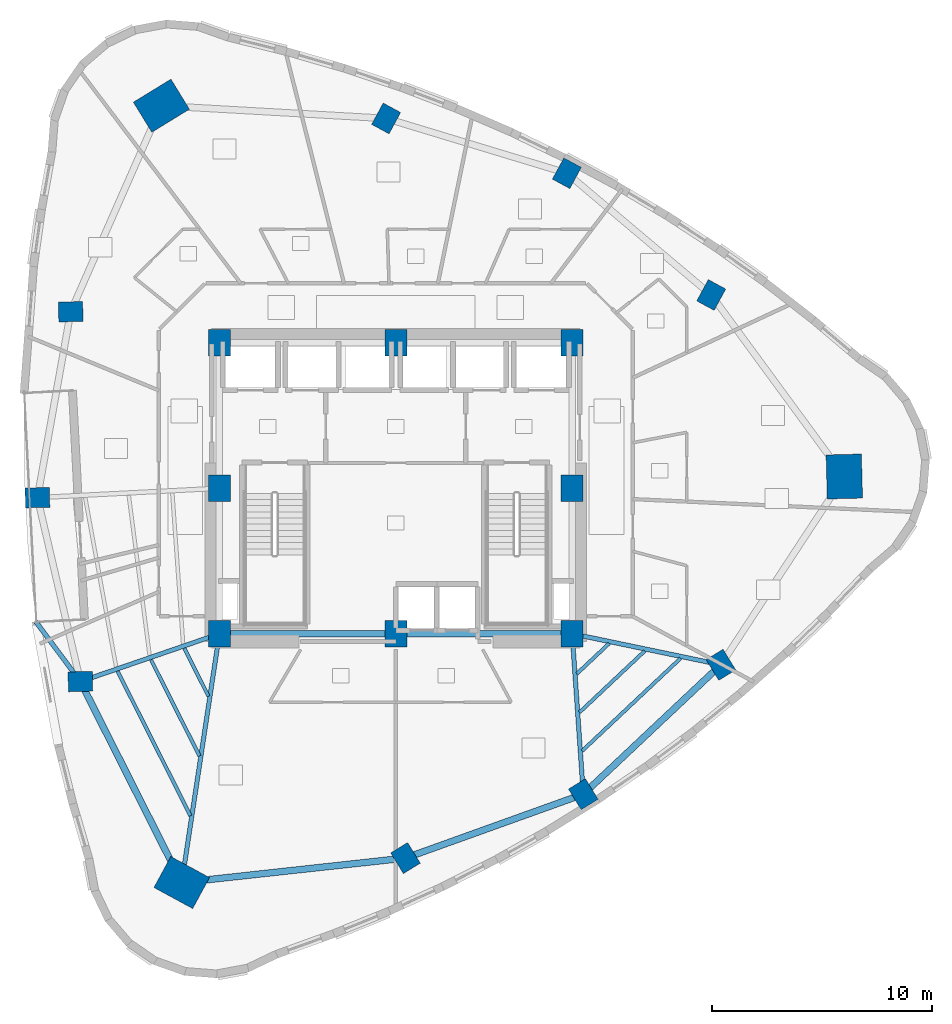
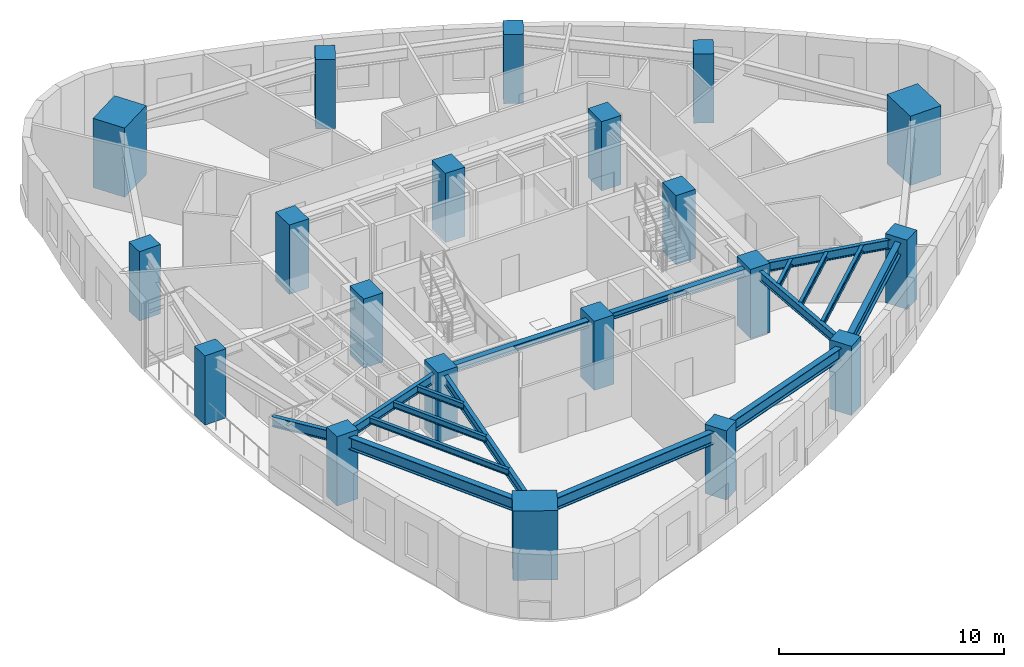
# One storey, part 1 of 12: 20 columns, 17 beams.
"""IFC4 building model written with IfcOpenShell, lengths in metres."""

from ifc_helpers import new_model, si_unit, direction, frame, origin, origin_2d, place, context, subcontext, project, spatial, rectangle, i_section, extrude, material, material_profile, profile_set, type_object, element, save


model = new_model("IFC4")

# Units and contexts
model_context = context("Model", 3, precision=1e-05, world=origin(), true_north=direction((0.0, 1.0)))
body_context = subcontext(model_context, "Body", "Model", "MODEL_VIEW")
ifc_project = project(units=[si_unit("LENGTHUNIT", "METRE"), si_unit("AREAUNIT", "SQUARE_METRE"), si_unit("VOLUMEUNIT", "CUBIC_METRE"), si_unit("PLANEANGLEUNIT", "RADIAN"), si_unit("MASSUNIT", "GRAM", prefix="KILO")], contexts=[model_context])

# Site, building, storey
site_placement = place(None, origin())
site = spatial("IfcSite", under=ifc_project, at=site_placement, CompositionType="ELEMENT")
building_placement = place(site_placement, origin())
building = spatial("IfcBuilding", under=site, at=building_placement, Name="Ndelora Gate Hotel", CompositionType="ELEMENT")
storey_placement = place(building_placement, frame((0.0, 0.0, 131.0)))
storey = spatial("IfcBuildingStorey", under=building, at=storey_placement, Name="L32", CompositionType="ELEMENT", Elevation=131.0)

# Columns
ifc_material_1 = material(Name="Concrete C60/75", Category="concrete")
ifc_material_profile_1 = material_profile(ifc_material_1, rectangle(XDim=1.0, YDim=1.199951171875, at=origin_2d()), Name="RC 1200x1000")
ifc_profile_set_1 = profile_set([ifc_material_profile_1], Name="Concrete C60/75")
column_type_1 = type_object("IfcColumnType", Name="COL-CC-MID", PredefinedType="COLUMN", material=ifc_profile_set_1)
for number, where, z_axis, x_axis, name in (
    (1, (-8.0, -6.60009765625, 0.0), (0.0, 0.0, 1.0), (1.0, 0.0, 0.0), "L32 Core Column CC1"),
    (2, (0.0, -6.60009765625, 0.0), (0.0, 0.0, 1.0), (1.0, 0.0, 0.0), "L32 Core Column CC2"),
    (3, (8.0, -6.60009765625, 0.0), (0.0, 0.0, 1.0), (1.0, 0.0, 0.0), "L32 Core Column CC3"),
    (4, (8.0, 0.0, 0.0), (0.0, 0.0, 1.0), (1.0, 0.0, 0.0), "L32 Core Column CC4"),
    (5, (8.0, 6.60009765625, 0.0), (0.0, 0.0, 1.0), (1.0, 0.0, 0.0), "L32 Core Column CC5"),
    (6, (0.0, 6.60009765625, 0.0), (0.0, 0.0, 1.0), (1.0, 0.0, 0.0), "L32 Core Column CC6"),
    (7, (-8.0, 6.60009765625, 0.0), (0.0, 0.0, 1.0), (1.0, 0.0, 0.0), "L32 Core Column CC7"),
    (8, (-8.0, 0.0, 0.0), (0.0, 0.0, 1.0), (1.0, 0.0, 0.0), "L32 Core Column CC8"),
):
    element("IfcColumn", number, at=place(storey_placement, frame(where, z_axis=z_axis, x_axis=x_axis)), inside=storey, type_object=column_type_1, Name=name, PredefinedType="COLUMN", context=body_context, shape_type="SweptSolid", body=[
        extrude(rectangle(XDim=1.0, YDim=1.199951171875, at=origin_2d()), origin(), (0.0, 0.0, 1.0), 3.75),
    ])
ifc_material_profile_2 = material_profile(ifc_material_1, rectangle(XDim=1.60009765625, YDim=2.0, at=origin_2d()), Name="RC 2000x1600")
ifc_profile_set_2 = profile_set([ifc_material_profile_2], Name="Concrete C60/75")
column_type_2 = type_object("IfcColumnType", Name="COL-MC-Z2", PredefinedType="COLUMN", material=ifc_profile_set_2)
for number, where, z_axis, x_axis, name in (
    (9, (-10.63330078125, 17.351806640625, 0.0), (0.0, 0.0, 1.0), (-0.522498564716, 0.852640164354, 0.0), "L32 Corner Mega-Column R1"),
    (10, (-9.71044921875, -17.884521484375, 0.0), (0.0, 0.0, 1.0), (0.47715876026, 0.878817112662, 0.0), "L32 Corner Mega-Column R5"),
    (11, (20.34375, 0.53271484375, 0.0), (0.0, 0.0, 1.0), (0.999657324976, 0.026176948308, 0.0), "L32 Corner Mega-Column R9"),
):
    element("IfcColumn", number, at=place(storey_placement, frame(where, z_axis=z_axis, x_axis=x_axis)), inside=storey, type_object=column_type_2, Name=name, PredefinedType="COLUMN", context=body_context, shape_type="SweptSolid", body=[
        extrude(rectangle(XDim=1.60009765625, YDim=2.0, at=origin_2d()), origin(), (0.0, 0.0, 1.0), 3.75),
    ])
ifc_material_profile_3 = material_profile(ifc_material_1, rectangle(XDim=0.89990234375, YDim=1.10009765625, at=origin_2d()), Name="RC 1100x900")
ifc_profile_set_3 = profile_set([ifc_material_profile_3], Name="Concrete C60/75")
column_type_3 = type_object("IfcColumnType", Name="COL-PT-Z2", PredefinedType="COLUMN", material=ifc_profile_set_3)
for number, where, z_axis, x_axis, name in (
    (12, (-14.74658203125, 8.006591796875, 0.0), (0.0, 0.0, 1.0), (-0.026176948308, 0.999657324976, 0.0), "L32 Perimeter Tube Column R2"),
    (13, (-16.25537109375, -0.42578125, 0.0), (0.0, 0.0, 1.0), (-0.026176948308, 0.999657324976, 0.0), "L32 Perimeter Tube Column R3"),
    (14, (-14.307373046875, -8.767578125, 0.0), (0.0, 0.0, 1.0), (-0.026176948308, 0.999657324976, 0.0), "L32 Perimeter Tube Column R4"),
    (15, (0.439208984375, -16.7744140625, 0.0), (0.0, 0.0, 1.0), (0.852640164354, 0.522498564716, 0.0), "L32 Perimeter Tube Column R6"),
    (16, (8.50439453125, -13.878173828125, 0.0), (0.0, 0.0, 1.0), (0.852640164354, 0.522498564716, 0.0), "L32 Perimeter Tube Column R7"),
    (17, (14.74658203125, -8.006591796875, 0.0), (0.0, 0.0, 1.0), (0.852640164354, 0.522498564716, 0.0), "L32 Perimeter Tube Column R8"),
    (18, (14.30712890625, 8.767333984375, 0.0), (0.0, 0.0, 1.0), (-0.878817112662, 0.47715876026, 0.0), "L32 Perimeter Tube Column R10"),
    (19, (7.759033203125, 14.290283203125, 0.0), (0.0, 0.0, 1.0), (-0.878817112662, 0.47715876026, 0.0), "L32 Perimeter Tube Column R11"),
    (20, (-0.439208984375, 16.7744140625, 0.0), (0.0, 0.0, 1.0), (-0.878817112662, 0.47715876026, 0.0), "L32 Perimeter Tube Column R12"),
):
    element("IfcColumn", number, at=place(storey_placement, frame(where, z_axis=z_axis, x_axis=x_axis)), inside=storey, type_object=column_type_3, Name=name, PredefinedType="COLUMN", context=body_context, shape_type="SweptSolid", body=[
        extrude(rectangle(XDim=0.89990234375, YDim=1.10009765625, at=origin_2d()), origin(), (0.0, 0.0, 1.0), 3.75),
    ])

# Beams
ifc_material_2 = material(Name="Steel S355", Category="steel")
ifc_material_profile_4 = material_profile(ifc_material_2, i_section(OverallWidth=0.300048828125, OverallDepth=0.360107421875, WebThickness=0.012451171875, FlangeThickness=0.0224609375, FilletRadius=0.027099609375, at=origin_2d()), Name="HEB 360")
ifc_profile_set_4 = profile_set([ifc_material_profile_4], Name="Steel S355")
beam_type_1 = type_object("IfcBeamType", Name="BM-CORE-360", PredefinedType="BEAM", material=ifc_profile_set_4)
for number, where, z_axis, x_axis, name in (
    (21, (-8.0, -6.60009765625, 3.320068359375), (1.0, 0.0, 0.0), (0.0, 1.0, 0.0), "L32 Core Tie Girder CC1-CC2"),
    (22, (0.0, -6.60009765625, 3.320068359375), (1.0, 0.0, 0.0), (0.0, 1.0, 0.0), "L32 Core Tie Girder CC2-CC3"),
):
    element("IfcBeam", number, at=place(storey_placement, frame(where, z_axis=z_axis, x_axis=x_axis)), inside=storey, type_object=beam_type_1, Name=name, PredefinedType="BEAM", context=body_context, shape_type="SweptSolid", body=[
        extrude(i_section(OverallWidth=0.300048828125, OverallDepth=0.360107421875, WebThickness=0.012451171875, FlangeThickness=0.0224609375, FilletRadius=0.027099609375, at=origin_2d()), origin(), (0.0, 0.0, 1.0), 8.0),
    ])
ifc_material_profile_5 = material_profile(ifc_material_2, i_section(OverallWidth=0.159912109375, OverallDepth=0.330078125, WebThickness=0.007568359375, FlangeThickness=0.011474609375, FilletRadius=0.01806640625, at=origin_2d()), Name="IPE 330")
ifc_profile_set_5 = profile_set([ifc_material_profile_5], Name="Steel S355")
beam_type_2 = type_object("IfcBeamType", Name="BM-JST-330", PredefinedType="JOIST", material=ifc_profile_set_5)
beam_1_placement = place(storey_placement, frame((-9.59033203125, -7.26171875, 3.3349609375), z_axis=(0.450139260243, -0.892958367668, 0.0), x_axis=(0.892958367668, 0.450139260243, 0.0)))
element("IfcBeam", 23, at=beam_1_placement, inside=storey, type_object=beam_type_2, Name="L32 Secondary Composite Floor Joist IN-4", PredefinedType="JOIST", context=body_context, shape_type="SweptSolid", body=[
    extrude(i_section(OverallWidth=0.159912109375, OverallDepth=0.330078125, WebThickness=0.007568359375, FlangeThickness=0.011474609375, FilletRadius=0.01806640625, at=origin_2d()), origin(), (0.0, 0.0, 1.0), 2.4345703125),
])
beam_2_placement = place(storey_placement, frame((-11.10400390625, -7.781982421875, 3.3349609375), z_axis=(0.450189724408, -0.892932926953, 0.0), x_axis=(0.892932926953, 0.450189724408, 0.0)))
element("IfcBeam", 24, at=beam_2_placement, inside=storey, type_object=beam_type_2, Name="L32 Secondary Composite Floor Joist MID-4", PredefinedType="JOIST", context=body_context, shape_type="SweptSolid", body=[
    extrude(i_section(OverallWidth=0.159912109375, OverallDepth=0.330078125, WebThickness=0.007568359375, FlangeThickness=0.011474609375, FilletRadius=0.01806640625, at=origin_2d()), origin(), (0.0, 0.0, 1.0), 4.885009765625),
])
beam_3_placement = place(storey_placement, frame((-12.617919921875, -8.30224609375, 3.3349609375), z_axis=(0.45023300903, -0.892911102843, 0.0), x_axis=(0.892911102843, 0.45023300903, 0.0)))
element("IfcBeam", 25, at=beam_3_placement, inside=storey, type_object=beam_type_2, Name="L32 Secondary Composite Floor Joist OUT-4", PredefinedType="JOIST", context=body_context, shape_type="SweptSolid", body=[
    extrude(i_section(OverallWidth=0.159912109375, OverallDepth=0.330078125, WebThickness=0.007568359375, FlangeThickness=0.011474609375, FilletRadius=0.01806640625, at=origin_2d()), origin(), (0.0, 0.0, 1.0), 7.335693359375),
])
beam_4_placement = place(storey_placement, frame((8.211181640625, -8.4169921875, 3.3349609375), z_axis=(0.728414088998, 0.685137150466, 0.0), x_axis=(-0.685137150466, 0.728414088998, 0.0)))
element("IfcBeam", 26, at=beam_4_placement, inside=storey, type_object=beam_type_2, Name="L32 Secondary Composite Floor Joist IN-7", PredefinedType="JOIST", context=body_context, shape_type="SweptSolid", body=[
    extrude(i_section(OverallWidth=0.159912109375, OverallDepth=0.330078125, WebThickness=0.007568359375, FlangeThickness=0.011474609375, FilletRadius=0.01806640625, at=origin_2d()), origin(), (0.0, 0.0, 1.0), 2.00830078125),
])
beam_5_placement = place(storey_placement, frame((8.33251953125, -10.163818359375, 3.3349609375), z_axis=(0.728369245526, 0.685184823366, 0.0), x_axis=(-0.685184823366, 0.728369245526, 0.0)))
element("IfcBeam", 27, at=beam_5_placement, inside=storey, type_object=beam_type_2, Name="L32 Secondary Composite Floor Joist MID-7", PredefinedType="JOIST", context=body_context, shape_type="SweptSolid", body=[
    extrude(i_section(OverallWidth=0.159912109375, OverallDepth=0.330078125, WebThickness=0.007568359375, FlangeThickness=0.011474609375, FilletRadius=0.01806640625, at=origin_2d()), origin(), (0.0, 0.0, 1.0), 4.06494140625),
])
beam_6_placement = place(storey_placement, frame((8.45361328125, -11.910400390625, 3.3349609375), z_axis=(0.728393161111, 0.68515939959, 0.0), x_axis=(-0.68515939959, 0.728393161111, 0.0)))
element("IfcBeam", 28, at=beam_6_placement, inside=storey, type_object=beam_type_2, Name="L32 Secondary Composite Floor Joist OUT-7", PredefinedType="JOIST", context=body_context, shape_type="SweptSolid", body=[
    extrude(i_section(OverallWidth=0.159912109375, OverallDepth=0.330078125, WebThickness=0.007568359375, FlangeThickness=0.011474609375, FilletRadius=0.01806640625, at=origin_2d()), origin(), (0.0, 0.0, 1.0), 6.121337890625),
])
ifc_material_profile_6 = material_profile(ifc_material_2, i_section(OverallWidth=0.199951171875, OverallDepth=0.5, WebThickness=0.01025390625, FlangeThickness=0.01611328125, FilletRadius=0.02099609375, at=origin_2d()), Name="IPE 500")
ifc_profile_set_6 = profile_set([ifc_material_profile_6], Name="Steel S355")
beam_type_3 = type_object("IfcBeamType", Name="BM-RAD-500", PredefinedType="BEAM", material=ifc_profile_set_6)
beam_7_placement = place(storey_placement, frame((-8.0, -6.60009765625, 3.25), z_axis=(-0.945717893913, -0.324988715392, 0.0), x_axis=(0.324988715392, -0.945717893913, 0.0)))
element("IfcBeam", 29, at=beam_7_placement, inside=storey, type_object=beam_type_3, Name="L32 Radial Floor Girder 4", PredefinedType="BEAM", context=body_context, shape_type="SweptSolid", body=[
    extrude(i_section(OverallWidth=0.199951171875, OverallDepth=0.5, WebThickness=0.01025390625, FlangeThickness=0.01611328125, FilletRadius=0.02099609375, at=origin_2d()), origin(), (0.0, 0.0, 1.0), 6.66943359375),
])
beam_8_placement = place(storey_placement, frame((-8.0, -6.60009765625, 3.25), z_axis=(-0.149864309615, -0.988706573612, 0.0), x_axis=(0.988706573612, -0.149864309615, 0.0)))
element("IfcBeam", 30, at=beam_8_placement, inside=storey, type_object=beam_type_3, Name="L32 Radial Floor Girder 5", PredefinedType="BEAM", context=body_context, shape_type="SweptSolid", body=[
    extrude(i_section(OverallWidth=0.199951171875, OverallDepth=0.5, WebThickness=0.01025390625, FlangeThickness=0.01611328125, FilletRadius=0.02099609375, at=origin_2d()), origin(), (0.0, 0.0, 1.0), 11.413330078125),
])
beam_9_placement = place(storey_placement, frame((8.0, -6.60009765625, 3.25), z_axis=(0.069137444551, -0.997607144001, 0.0), x_axis=(0.997607144001, 0.069137444551, 0.0)))
element("IfcBeam", 31, at=beam_9_placement, inside=storey, type_object=beam_type_3, Name="L32 Radial Floor Girder 7", PredefinedType="BEAM", context=body_context, shape_type="SweptSolid", body=[
    extrude(i_section(OverallWidth=0.199951171875, OverallDepth=0.5, WebThickness=0.01025390625, FlangeThickness=0.01611328125, FilletRadius=0.02099609375, at=origin_2d()), origin(), (0.0, 0.0, 1.0), 7.295654296875),
])
beam_10_placement = place(storey_placement, frame((8.0, -6.60009765625, 3.25), z_axis=(0.978952706778, -0.204087231083, 0.0), x_axis=(0.204087231083, 0.978952706778, 0.0)))
element("IfcBeam", 32, at=beam_10_placement, inside=storey, type_object=beam_type_3, Name="L32 Radial Floor Girder 8", PredefinedType="BEAM", context=body_context, shape_type="SweptSolid", body=[
    extrude(i_section(OverallWidth=0.199951171875, OverallDepth=0.5, WebThickness=0.01025390625, FlangeThickness=0.01611328125, FilletRadius=0.02099609375, at=origin_2d()), origin(), (0.0, 0.0, 1.0), 6.8916015625),
])
ifc_material_profile_7 = material_profile(ifc_material_2, i_section(OverallWidth=0.2099609375, OverallDepth=0.550048828125, WebThickness=0.010986328125, FlangeThickness=0.01708984375, FilletRadius=0.02392578125, at=origin_2d()), Name="IPE 550")
ifc_profile_set_7 = profile_set([ifc_material_profile_7], Name="Steel S355")
beam_type_4 = type_object("IfcBeamType", Name="BM-RAD-550", PredefinedType="BEAM", material=ifc_profile_set_7)
beam_11_placement = place(storey_placement, frame((-14.307373046875, -8.767578125, 3.22509765625), z_axis=(-0.597076866602, 0.802184028368, 0.0), x_axis=(-0.802184028368, -0.597076866602, 0.0)))
element("IfcBeam", 33, at=beam_11_placement, inside=storey, type_object=beam_type_4, Name="L32 Sky-Garden Loggia Column Bracket 3", PredefinedType="BEAM", context=body_context, shape_type="SweptSolid", body=[
    extrude(i_section(OverallWidth=0.2099609375, OverallDepth=0.550048828125, WebThickness=0.010986328125, FlangeThickness=0.01708984375, FilletRadius=0.02392578125, at=origin_2d()), origin(), (0.0, 0.0, 1.0), 3.3720703125),
])
ifc_material_profile_8 = material_profile(ifc_material_2, i_section(OverallWidth=0.300048828125, OverallDepth=0.64990234375, WebThickness=0.01611328125, FlangeThickness=0.031005859375, FilletRadius=0.027099609375, at=origin_2d()), Name="HEB 650")
ifc_profile_set_8 = profile_set([ifc_material_profile_8], Name="Steel S355")
beam_type_5 = type_object("IfcBeamType", Name="BM-RING-650", PredefinedType="SPANDREL", material=ifc_profile_set_8)
for number, where, z_axis, x_axis, name in (
    (34, (-14.307373046875, -8.767578125, 3.175048828125), (0.450223868811, -0.892915711561, 0.0), (0.892915711561, 0.450223868811, 0.0), "L32 Perimeter Spandrel Girder 4"),
    (35, (-9.71044921875, -17.884521484375, 3.175048828125), (0.994071812898, 0.108725483685, 0.0), (-0.108725483685, 0.994071812898, 0.0), "L32 Perimeter Spandrel Girder 5"),
):
    element("IfcBeam", number, at=place(storey_placement, frame(where, z_axis=z_axis, x_axis=x_axis)), inside=storey, type_object=beam_type_5, Name=name, PredefinedType="SPANDREL", context=body_context, shape_type="SweptSolid", body=[
        extrude(i_section(OverallWidth=0.300048828125, OverallDepth=0.64990234375, WebThickness=0.01611328125, FlangeThickness=0.031005859375, FilletRadius=0.027099609375, at=origin_2d()), origin(), (0.0, 0.0, 1.0), 10.210205078125),
    ])
beam_12_placement = place(storey_placement, frame((0.439208984375, -16.7744140625, 3.175048828125), z_axis=(0.941155870835, 0.337972819607, 0.0), x_axis=(-0.337972819607, 0.941155870835, 0.0)))
element("IfcBeam", 36, at=beam_12_placement, inside=storey, type_object=beam_type_5, Name="L32 Perimeter Spandrel Girder 6", PredefinedType="SPANDREL", context=body_context, shape_type="SweptSolid", body=[
    extrude(i_section(OverallWidth=0.300048828125, OverallDepth=0.64990234375, WebThickness=0.01611328125, FlangeThickness=0.031005859375, FilletRadius=0.027099609375, at=origin_2d()), origin(), (0.0, 0.0, 1.0), 8.5693359375),
])
beam_13_placement = place(storey_placement, frame((8.50439453125, -13.878173828125, 3.175048828125), z_axis=(0.728399016952, 0.68515317419, 0.0), x_axis=(-0.68515317419, 0.728399016952, 0.0)))
element("IfcBeam", 37, at=beam_13_placement, inside=storey, type_object=beam_type_5, Name="L32 Perimeter Spandrel Girder 7", PredefinedType="SPANDREL", context=body_context, shape_type="SweptSolid", body=[
    extrude(i_section(OverallWidth=0.300048828125, OverallDepth=0.64990234375, WebThickness=0.01611328125, FlangeThickness=0.031005859375, FilletRadius=0.027099609375, at=origin_2d()), origin(), (0.0, 0.0, 1.0), 8.56982421875),
])

save(model, "model.ifc")
